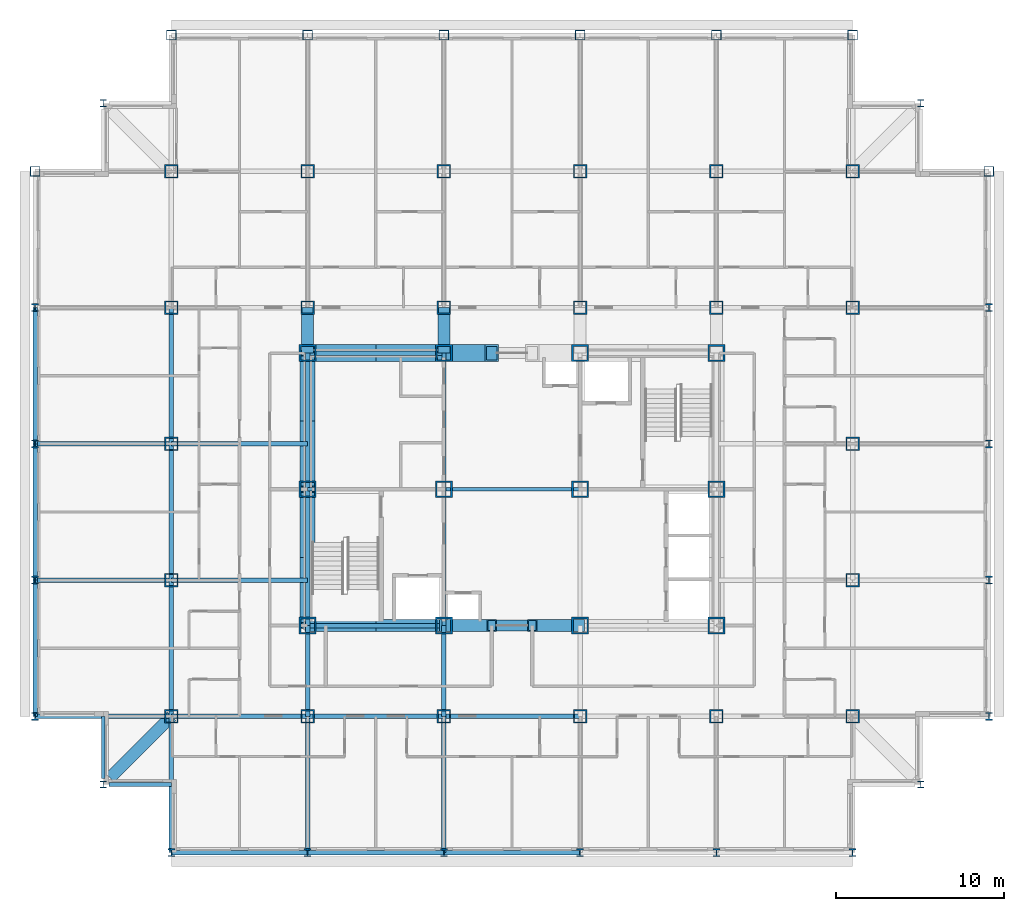
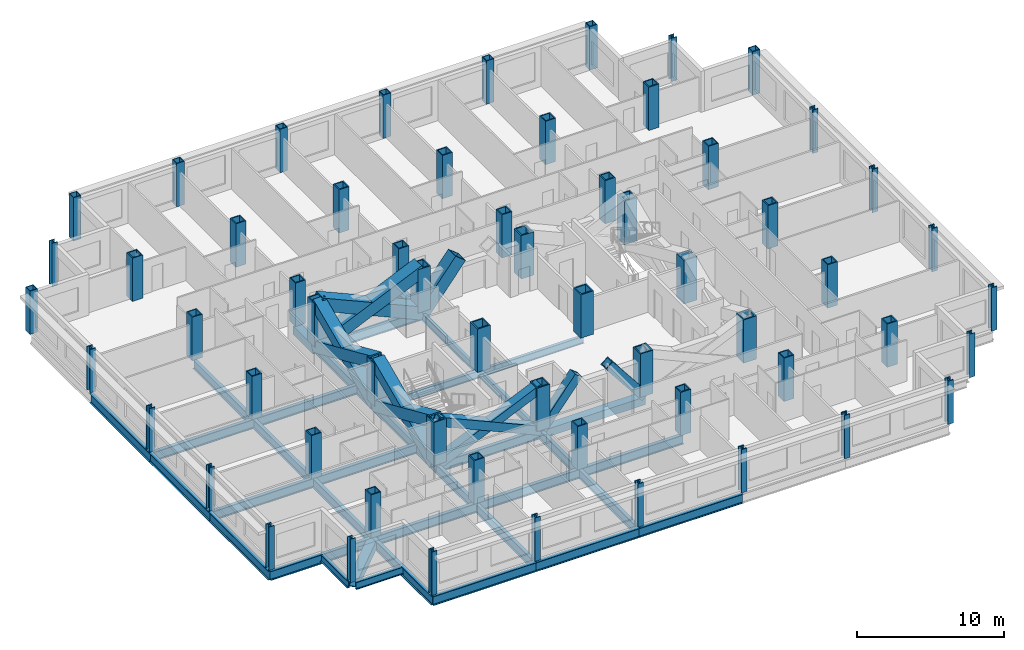
# One storey, part 1 of 12: 60 columns, 36 beams, 11 members.
"""IFC4 building model written with IfcOpenShell, lengths in metres."""

from ifc_helpers import new_model, si_unit, direction, frame, origin, origin_2d, place, context, subcontext, project, spatial, hollow_rectangle, i_section, extrude, material, material_profile, profile_set, type_object, element, save


model = new_model("IFC4")

# Units and contexts
model_context = context("Model", 3, precision=1e-05, world=origin(), true_north=direction((0.0, 1.0)))
body_context = subcontext(model_context, "Body", "Model", "MODEL_VIEW")
ifc_project = project(units=[si_unit("LENGTHUNIT", "METRE"), si_unit("AREAUNIT", "SQUARE_METRE"), si_unit("VOLUMEUNIT", "CUBIC_METRE"), si_unit("PLANEANGLEUNIT", "RADIAN"), si_unit("MASSUNIT", "GRAM", prefix="KILO")], contexts=[model_context])

# Site, building, storey
site_placement = place(None, origin())
site = spatial("IfcSite", under=ifc_project, at=site_placement, CompositionType="ELEMENT")
building_placement = place(site_placement, origin())
building = spatial("IfcBuilding", under=site, at=building_placement, Name="Kopane Lantern Tower", CompositionType="ELEMENT")
storey_placement = place(building_placement, frame((0.0, 0.0, 170.39990234375)))
storey = spatial("IfcBuildingStorey", under=building, at=storey_placement, Name="L43", CompositionType="ELEMENT", Elevation=170.39990234375)

# Columns
ifc_material_1 = material(Name="Steel S355JR", Category="steel")
ifc_material_profile_1 = material_profile(ifc_material_1, hollow_rectangle(XDim=1.0, YDim=1.0, WallThickness=0.10009765625, at=origin_2d()), Name="BOX 1000x1000x100")
ifc_profile_set_1 = profile_set([ifc_material_profile_1], Name="Steel S355JR")
column_type_1 = type_object("IfcColumnType", Name="COLUMN BOX 1000x1000x100", PredefinedType="COLUMN", material=ifc_profile_set_1)
for number, where, z_axis, x_axis, name in (
    (1, (16.199951171875, 24.300048828125, 0.0), (0.0, 0.0, 1.0), (1.0, 0.0, 0.0), "Column 4/E L43"),
    (2, (16.199951171875, 32.39990234375, 0.0), (0.0, 0.0, 1.0), (1.0, 0.0, 0.0), "Column 4/F L43"),
    (3, (16.199951171875, 40.5, 0.0), (0.0, 0.0, 1.0), (1.0, 0.0, 0.0), "Column 4/G L43"),
    (4, (24.300048828125, 24.300048828125, 0.0), (0.0, 0.0, 1.0), (1.0, 0.0, 0.0), "Column 5/E L43"),
    (5, (24.300048828125, 32.39990234375, 0.0), (0.0, 0.0, 1.0), (1.0, 0.0, 0.0), "Column 5/F L43"),
    (6, (24.300048828125, 40.5, 0.0), (0.0, 0.0, 1.0), (1.0, 0.0, 0.0), "Column 5/G L43"),
    (7, (32.39990234375, 24.300048828125, 0.0), (0.0, 0.0, 1.0), (1.0, 0.0, 0.0), "Column 6/E L43"),
    (8, (32.39990234375, 32.39990234375, 0.0), (0.0, 0.0, 1.0), (1.0, 0.0, 0.0), "Column 6/F L43"),
    (9, (32.39990234375, 40.5, 0.0), (0.0, 0.0, 1.0), (1.0, 0.0, 0.0), "Column 6/G L43"),
    (10, (40.5, 24.300048828125, 0.0), (0.0, 0.0, 1.0), (1.0, 0.0, 0.0), "Column 7/E L43"),
    (11, (40.5, 32.39990234375, 0.0), (0.0, 0.0, 1.0), (1.0, 0.0, 0.0), "Column 7/F L43"),
    (12, (40.5, 40.5, 0.0), (0.0, 0.0, 1.0), (1.0, 0.0, 0.0), "Column 7/G L43"),
):
    element("IfcColumn", number, at=place(storey_placement, frame(where, z_axis=z_axis, x_axis=x_axis)), inside=storey, type_object=column_type_1, Name=name, PredefinedType="COLUMN", context=body_context, shape_type="SweptSolid", body=[
        extrude(hollow_rectangle(XDim=1.0, YDim=1.0, WallThickness=0.10009765625, at=origin_2d()), origin(), (0.0, 0.0, 1.0), 3.60009765625),
    ])
ifc_material_2 = material(Name="Steel S355JR", Category="steel")
ifc_material_profile_2 = material_profile(ifc_material_2, hollow_rectangle(XDim=0.60009765625, YDim=0.60009765625, WallThickness=0.050048828125, at=origin_2d()), Name="BOX 600x600x50")
ifc_profile_set_2 = profile_set([ifc_material_profile_2], Name="Steel S355JR")
column_type_2 = type_object("IfcColumnType", Name="COLUMN BOX 600x600x50", PredefinedType="COLUMN", material=ifc_profile_set_2)
for number, where, z_axis, x_axis, name in (
    (13, (0.0, 51.300048828125, 0.0), (0.0, 0.0, 1.0), (1.0, 0.0, 0.0), "Column 2/Q6 L43"),
    (14, (8.10009765625, 59.39990234375, 0.0), (0.0, 0.0, 1.0), (1.0, 0.0, 0.0), "Column 3/Q7 L43"),
    (15, (16.199951171875, 59.39990234375, 0.0), (0.0, 0.0, 1.0), (1.0, 0.0, 0.0), "Column 4/Q7 L43"),
    (16, (24.300048828125, 59.39990234375, 0.0), (0.0, 0.0, 1.0), (1.0, 0.0, 0.0), "Column 5/Q7 L43"),
    (17, (32.39990234375, 59.39990234375, 0.0), (0.0, 0.0, 1.0), (1.0, 0.0, 0.0), "Column 6/Q7 L43"),
    (18, (40.5, 59.39990234375, 0.0), (0.0, 0.0, 1.0), (1.0, 0.0, 0.0), "Column 7/Q7 L43"),
    (19, (48.60009765625, 59.39990234375, 0.0), (0.0, 0.0, 1.0), (1.0, 0.0, 0.0), "Column 8/Q7 L43"),
    (20, (56.699951171875, 51.300048828125, 0.0), (0.0, 0.0, 1.0), (1.0, 0.0, 0.0), "Column 9/Q6 L43"),
):
    element("IfcColumn", number, at=place(storey_placement, frame(where, z_axis=z_axis, x_axis=x_axis)), inside=storey, type_object=column_type_2, Name=name, PredefinedType="COLUMN", context=body_context, shape_type="SweptSolid", body=[
        extrude(hollow_rectangle(XDim=0.60009765625, YDim=0.60009765625, WallThickness=0.050048828125, at=origin_2d()), origin(), (0.0, 0.0, 1.0), 3.60009765625),
    ])
ifc_material_3 = material(Name="Steel S355JR", Category="steel")
ifc_material_profile_3 = material_profile(ifc_material_3, hollow_rectangle(XDim=0.800048828125, YDim=0.800048828125, WallThickness=0.080078125, at=origin_2d()), Name="BOX 800x800x80")
ifc_profile_set_3 = profile_set([ifc_material_profile_3], Name="Steel S355JR")
column_type_3 = type_object("IfcColumnType", Name="COLUMN BOX 800x800x80", PredefinedType="COLUMN", material=ifc_profile_set_3)
for number, where, z_axis, x_axis, name in (
    (21, (8.10009765625, 18.89990234375, 0.0), (0.0, 0.0, 1.0), (1.0, 0.0, 0.0), "Column 3/Q2 L43"),
    (22, (8.10009765625, 27.0, 0.0), (0.0, 0.0, 1.0), (1.0, 0.0, 0.0), "Column 3/Q3 L43"),
    (23, (8.10009765625, 35.10009765625, 0.0), (0.0, 0.0, 1.0), (1.0, 0.0, 0.0), "Column 3/Q4 L43"),
    (24, (8.10009765625, 43.199951171875, 0.0), (0.0, 0.0, 1.0), (1.0, 0.0, 0.0), "Column 3/Q5 L43"),
    (25, (8.10009765625, 51.300048828125, 0.0), (0.0, 0.0, 1.0), (1.0, 0.0, 0.0), "Column 3/Q6 L43"),
    (26, (16.199951171875, 18.89990234375, 0.0), (0.0, 0.0, 1.0), (1.0, 0.0, 0.0), "Column 4/Q2 L43"),
    (27, (16.199951171875, 43.199951171875, 0.0), (0.0, 0.0, 1.0), (1.0, 0.0, 0.0), "Column 4/Q5 L43"),
    (28, (16.199951171875, 51.300048828125, 0.0), (0.0, 0.0, 1.0), (1.0, 0.0, 0.0), "Column 4/Q6 L43"),
    (29, (24.300048828125, 18.89990234375, 0.0), (0.0, 0.0, 1.0), (1.0, 0.0, 0.0), "Column 5/Q2 L43"),
    (30, (24.300048828125, 43.199951171875, 0.0), (0.0, 0.0, 1.0), (1.0, 0.0, 0.0), "Column 5/Q5 L43"),
    (31, (24.300048828125, 51.300048828125, 0.0), (0.0, 0.0, 1.0), (1.0, 0.0, 0.0), "Column 5/Q6 L43"),
    (32, (32.39990234375, 18.89990234375, 0.0), (0.0, 0.0, 1.0), (1.0, 0.0, 0.0), "Column 6/Q2 L43"),
    (33, (32.39990234375, 43.199951171875, 0.0), (0.0, 0.0, 1.0), (1.0, 0.0, 0.0), "Column 6/Q5 L43"),
    (34, (32.39990234375, 51.300048828125, 0.0), (0.0, 0.0, 1.0), (1.0, 0.0, 0.0), "Column 6/Q6 L43"),
    (35, (40.5, 18.89990234375, 0.0), (0.0, 0.0, 1.0), (1.0, 0.0, 0.0), "Column 7/Q2 L43"),
    (36, (40.5, 43.199951171875, 0.0), (0.0, 0.0, 1.0), (1.0, 0.0, 0.0), "Column 7/Q5 L43"),
    (37, (40.5, 51.300048828125, 0.0), (0.0, 0.0, 1.0), (1.0, 0.0, 0.0), "Column 7/Q6 L43"),
    (38, (48.60009765625, 18.89990234375, 0.0), (0.0, 0.0, 1.0), (1.0, 0.0, 0.0), "Column 8/Q2 L43"),
    (39, (48.60009765625, 27.0, 0.0), (0.0, 0.0, 1.0), (1.0, 0.0, 0.0), "Column 8/Q3 L43"),
    (40, (48.60009765625, 35.10009765625, 0.0), (0.0, 0.0, 1.0), (1.0, 0.0, 0.0), "Column 8/Q4 L43"),
    (41, (48.60009765625, 43.199951171875, 0.0), (0.0, 0.0, 1.0), (1.0, 0.0, 0.0), "Column 8/Q5 L43"),
    (42, (48.60009765625, 51.300048828125, 0.0), (0.0, 0.0, 1.0), (1.0, 0.0, 0.0), "Column 8/Q6 L43"),
):
    element("IfcColumn", number, at=place(storey_placement, frame(where, z_axis=z_axis, x_axis=x_axis)), inside=storey, type_object=column_type_3, Name=name, PredefinedType="COLUMN", context=body_context, shape_type="SweptSolid", body=[
        extrude(hollow_rectangle(XDim=0.800048828125, YDim=0.800048828125, WallThickness=0.080078125, at=origin_2d()), origin(), (0.0, 0.0, 1.0), 3.60009765625),
    ])
ifc_material_4 = material(Name="Steel S355JR", Category="steel")
ifc_material_profile_4 = material_profile(ifc_material_4, i_section(OverallWidth=0.406982421875, OverallDepth=0.4189453125, WebThickness=0.030517578125, FlangeThickness=0.04931640625, FilletRadius=0.01513671875, at=origin_2d()), Name="UC 356x406x393")
ifc_profile_set_4 = profile_set([ifc_material_profile_4], Name="Steel S355JR")
column_type_4 = type_object("IfcColumnType", Name="COLUMN UC 356x406x393", PredefinedType="COLUMN", material=ifc_profile_set_4)
for number, where, z_axis, x_axis, name in (
    (43, (4.050048828125, 14.85009765625, 0.0), (0.0, 0.0, 1.0), (1.0, 0.0, 0.0), "Column 4.05/14.85 L43"),
    (44, (4.050048828125, 55.35009765625, 0.0), (0.0, 0.0, 1.0), (1.0, 0.0, 0.0), "Column 4.05/55.35 L43"),
    (45, (52.64990234375, 14.85009765625, 0.0), (0.0, 0.0, 1.0), (1.0, 0.0, 0.0), "Column 52.65/14.85 L43"),
    (46, (52.64990234375, 55.35009765625, 0.0), (0.0, 0.0, 1.0), (1.0, 0.0, 0.0), "Column 52.65/55.35 L43"),
):
    element("IfcColumn", number, at=place(storey_placement, frame(where, z_axis=z_axis, x_axis=x_axis)), inside=storey, type_object=column_type_4, Name=name, PredefinedType="COLUMN", context=body_context, shape_type="SweptSolid", body=[
        extrude(i_section(OverallWidth=0.406982421875, OverallDepth=0.4189453125, WebThickness=0.030517578125, FlangeThickness=0.04931640625, FilletRadius=0.01513671875, at=origin_2d()), origin(), (0.0, 0.0, 1.0), 3.60009765625),
    ])
ifc_material_5 = material(Name="Steel S355JR", Category="steel")
ifc_material_profile_5 = material_profile(ifc_material_5, i_section(OverallWidth=0.424072265625, OverallDepth=0.474609375, WebThickness=0.047607421875, FlangeThickness=0.076904296875, FilletRadius=0.01513671875, at=origin_2d()), Name="UC 356x406x634")
ifc_profile_set_5 = profile_set([ifc_material_profile_5], Name="Steel S355JR")
column_type_5 = type_object("IfcColumnType", Name="COLUMN UC 356x406x634", PredefinedType="COLUMN", material=ifc_profile_set_5)
for number, where, z_axis, x_axis, name in (
    (47, (0.0, 18.89990234375, 0.0), (0.0, 0.0, 1.0), (1.0, 0.0, 0.0), "Column 2/Q2 L43"),
    (48, (0.0, 27.0, 0.0), (0.0, 0.0, 1.0), (1.0, 0.0, 0.0), "Column 2/Q3 L43"),
    (49, (0.0, 35.10009765625, 0.0), (0.0, 0.0, 1.0), (1.0, 0.0, 0.0), "Column 2/Q4 L43"),
    (50, (0.0, 43.199951171875, 0.0), (0.0, 0.0, 1.0), (1.0, 0.0, 0.0), "Column 2/Q5 L43"),
    (51, (8.10009765625, 10.800048828125, 0.0), (0.0, 0.0, 1.0), (1.0, 0.0, 0.0), "Column 3/Q1 L43"),
    (52, (16.199951171875, 10.800048828125, 0.0), (0.0, 0.0, 1.0), (1.0, 0.0, 0.0), "Column 4/Q1 L43"),
    (53, (24.300048828125, 10.800048828125, 0.0), (0.0, 0.0, 1.0), (1.0, 0.0, 0.0), "Column 5/Q1 L43"),
    (54, (32.39990234375, 10.800048828125, 0.0), (0.0, 0.0, 1.0), (1.0, 0.0, 0.0), "Column 6/Q1 L43"),
    (55, (40.5, 10.800048828125, 0.0), (0.0, 0.0, 1.0), (1.0, 0.0, 0.0), "Column 7/Q1 L43"),
    (56, (48.60009765625, 10.800048828125, 0.0), (0.0, 0.0, 1.0), (1.0, 0.0, 0.0), "Column 8/Q1 L43"),
    (57, (56.699951171875, 18.89990234375, 0.0), (0.0, 0.0, 1.0), (1.0, 0.0, 0.0), "Column 9/Q2 L43"),
    (58, (56.699951171875, 27.0, 0.0), (0.0, 0.0, 1.0), (1.0, 0.0, 0.0), "Column 9/Q3 L43"),
    (59, (56.699951171875, 35.10009765625, 0.0), (0.0, 0.0, 1.0), (1.0, 0.0, 0.0), "Column 9/Q4 L43"),
    (60, (56.699951171875, 43.199951171875, 0.0), (0.0, 0.0, 1.0), (1.0, 0.0, 0.0), "Column 9/Q5 L43"),
):
    element("IfcColumn", number, at=place(storey_placement, frame(where, z_axis=z_axis, x_axis=x_axis)), inside=storey, type_object=column_type_5, Name=name, PredefinedType="COLUMN", context=body_context, shape_type="SweptSolid", body=[
        extrude(i_section(OverallWidth=0.424072265625, OverallDepth=0.474609375, WebThickness=0.047607421875, FlangeThickness=0.076904296875, FilletRadius=0.01513671875, at=origin_2d()), origin(), (0.0, 0.0, 1.0), 3.60009765625),
    ])

# Members
ifc_material_6 = material(Name="Steel S355JR", Category="steel")
ifc_material_profile_6 = material_profile(ifc_material_6, hollow_rectangle(XDim=1.0, YDim=1.0, WallThickness=0.10009765625, at=origin_2d()), Name="BOX 1000x1000x100")
ifc_profile_set_6 = profile_set([ifc_material_profile_6], Name="Steel S355JR")
member_type_1 = type_object("IfcMemberType", Name="BRACE BOX 1000x1000x100", PredefinedType="BRACE", material=ifc_profile_set_6)
for number, where, z_axis, x_axis, name in (
    (61, (16.199951171875, 40.5, -0.2099609375), (0.913809277049, 0.0, 0.40614357705), (0.0, 1.0, 0.0), "Core brace L43"),
    (62, (24.300048828125, 40.5, -0.2099609375), (-0.913809277049, 0.0, 0.40614357705), (0.0, -1.0, 0.0), "Core brace L43"),
):
    element("IfcMember", number, at=place(storey_placement, frame(where, z_axis=z_axis, x_axis=x_axis)), inside=storey, type_object=member_type_1, Name=name, PredefinedType="BRACE", context=body_context, shape_type="SweptSolid", body=[
        extrude(hollow_rectangle(XDim=1.0, YDim=1.0, WallThickness=0.10009765625, at=origin_2d()), origin(), (0.0, 0.0, 1.0), 8.864013671875),
    ])
member_placement = place(storey_placement, frame((24.300048828125, 40.5, -0.2099609375), z_axis=(0.620672981644, 0.0, 0.784069544018), x_axis=(0.0, 1.0, 0.0)))
element("IfcMember", 63, at=member_placement, inside=storey, type_object=member_type_1, Name="Core brace L43", PredefinedType="BRACE", context=body_context, shape_type="SweptSolid", body=[
    extrude(hollow_rectangle(XDim=1.0, YDim=1.0, WallThickness=0.10009765625, at=origin_2d()), origin(), (0.0, 0.0, 1.0), 4.591552734375),
])
ifc_material_7 = material(Name="Steel S355JR", Category="steel")
ifc_material_profile_7 = material_profile(ifc_material_7, hollow_rectangle(XDim=0.699951171875, YDim=0.699951171875, WallThickness=0.06005859375, at=origin_2d()), Name="BOX 700x700x60")
ifc_profile_set_7 = profile_set([ifc_material_profile_7], Name="Steel S355JR")
member_type_2 = type_object("IfcMemberType", Name="BRACE BOX 700x700x60", PredefinedType="BRACE", material=ifc_profile_set_7)
for number, where, z_axis, x_axis, name in (
    (64, (16.199951171875, 24.300048828125, -0.2099609375), (0.913809277049, 0.0, 0.40614357705), (0.0, 1.0, 0.0), "Core brace L43"),
    (65, (24.300048828125, 24.300048828125, -0.2099609375), (-0.913809277049, 0.0, 0.40614357705), (0.0, -1.0, 0.0), "Core brace L43"),
):
    element("IfcMember", number, at=place(storey_placement, frame(where, z_axis=z_axis, x_axis=x_axis)), inside=storey, type_object=member_type_2, Name=name, PredefinedType="BRACE", context=body_context, shape_type="SweptSolid", body=[
        extrude(hollow_rectangle(XDim=0.699951171875, YDim=0.699951171875, WallThickness=0.06005859375, at=origin_2d()), origin(), (0.0, 0.0, 1.0), 8.864013671875),
    ])
for number, where, z_axis, x_axis, name in (
    (66, (24.300048828125, 24.300048828125, -0.2099609375), (0.620672981644, 0.0, 0.784069544018), (0.0, 1.0, 0.0), "Core brace L43"),
    (67, (32.39990234375, 24.300048828125, -0.2099609375), (-0.620672981644, 0.0, 0.784069544018), (0.0, -1.0, 0.0), "Core brace L43"),
):
    element("IfcMember", number, at=place(storey_placement, frame(where, z_axis=z_axis, x_axis=x_axis)), inside=storey, type_object=member_type_2, Name=name, PredefinedType="BRACE", context=body_context, shape_type="SweptSolid", body=[
        extrude(hollow_rectangle(XDim=0.699951171875, YDim=0.699951171875, WallThickness=0.06005859375, at=origin_2d()), origin(), (0.0, 0.0, 1.0), 4.591552734375),
    ])
ifc_material_8 = material(Name="Steel S355JR", Category="steel")
ifc_material_profile_8 = material_profile(ifc_material_8, hollow_rectangle(XDim=0.89990234375, YDim=0.89990234375, WallThickness=0.090087890625, at=origin_2d()), Name="BOX 900x900x90")
ifc_profile_set_8 = profile_set([ifc_material_profile_8], Name="Steel S355JR")
member_type_3 = type_object("IfcMemberType", Name="BRACE BOX 900x900x90", PredefinedType="BRACE", material=ifc_profile_set_8)
for number, where, z_axis, x_axis, name in (
    (68, (16.199951171875, 24.300048828125, -0.2099609375), (0.0, 0.91380473365, 0.406153799391), (-1.0, 0.0, 0.0), "Core brace L43"),
    (69, (16.199951171875, 32.39990234375, -0.2099609375), (0.0, -0.91380473365, 0.406153799391), (1.0, 0.0, 0.0), "Core brace L43"),
):
    element("IfcMember", number, at=place(storey_placement, frame(where, z_axis=z_axis, x_axis=x_axis)), inside=storey, type_object=member_type_3, Name=name, PredefinedType="BRACE", context=body_context, shape_type="SweptSolid", body=[
        extrude(hollow_rectangle(XDim=0.89990234375, YDim=0.89990234375, WallThickness=0.090087890625, at=origin_2d()), origin(), (0.0, 0.0, 1.0), 8.86376953125),
    ])
for number, where, z_axis, x_axis, name in (
    (70, (16.199951171875, 32.39990234375, -0.2099609375), (0.0, 0.913809277049, 0.40614357705), (-1.0, 0.0, 0.0), "Core brace L43"),
    (71, (16.199951171875, 40.5, -0.2099609375), (0.0, -0.913809277049, 0.40614357705), (1.0, 0.0, 0.0), "Core brace L43"),
):
    element("IfcMember", number, at=place(storey_placement, frame(where, z_axis=z_axis, x_axis=x_axis)), inside=storey, type_object=member_type_3, Name=name, PredefinedType="BRACE", context=body_context, shape_type="SweptSolid", body=[
        extrude(hollow_rectangle(XDim=0.89990234375, YDim=0.89990234375, WallThickness=0.090087890625, at=origin_2d()), origin(), (0.0, 0.0, 1.0), 8.864013671875),
    ])

# Beams
ifc_material_9 = material(Name="Steel S355JR", Category="steel")
ifc_material_profile_9 = material_profile(ifc_material_9, i_section(OverallWidth=0.22900390625, OverallDepth=0.6123046875, WebThickness=0.011962890625, FlangeThickness=0.01953125, FilletRadius=0.0126953125, at=origin_2d()), Name="UB 610x229x125")
ifc_profile_set_9 = profile_set([ifc_material_profile_9], Name="Steel S355JR")
beam_type_1 = type_object("IfcBeamType", Name="CORE BEAM UB 610x229x125", PredefinedType="BEAM", material=ifc_profile_set_9)
beam_1_placement = place(storey_placement, frame((16.199951171875, 32.39990234375, -0.51611328125), z_axis=(1.0, 0.0, 0.0), x_axis=(0.0, 1.0, 0.0)))
element("IfcBeam", 72, at=beam_1_placement, inside=storey, type_object=beam_type_1, Name="Core Beam L43", PredefinedType="BEAM", context=body_context, shape_type="SweptSolid", body=[
    extrude(i_section(OverallWidth=0.22900390625, OverallDepth=0.6123046875, WebThickness=0.011962890625, FlangeThickness=0.01953125, FilletRadius=0.0126953125, at=origin_2d()), origin(), (0.0, 0.0, 1.0), 8.10009765625),
])
beam_2_placement = place(storey_placement, frame((24.300048828125, 24.300048828125, -0.51611328125), z_axis=(0.0, 1.0, 0.0), x_axis=(-1.0, 0.0, 0.0)))
element("IfcBeam", 73, at=beam_2_placement, inside=storey, type_object=beam_type_1, Name="Core Beam L43", PredefinedType="BEAM", context=body_context, shape_type="SweptSolid", body=[
    extrude(i_section(OverallWidth=0.22900390625, OverallDepth=0.6123046875, WebThickness=0.011962890625, FlangeThickness=0.01953125, FilletRadius=0.0126953125, at=origin_2d()), origin(), (0.0, 0.0, 1.0), 8.099853515625),
])
beam_3_placement = place(storey_placement, frame((24.300048828125, 32.39990234375, -0.51611328125), z_axis=(0.0, 1.0, 0.0), x_axis=(-1.0, 0.0, 0.0)))
element("IfcBeam", 74, at=beam_3_placement, inside=storey, type_object=beam_type_1, Name="Core Beam L43", PredefinedType="BEAM", context=body_context, shape_type="SweptSolid", body=[
    extrude(i_section(OverallWidth=0.22900390625, OverallDepth=0.6123046875, WebThickness=0.011962890625, FlangeThickness=0.01953125, FilletRadius=0.0126953125, at=origin_2d()), origin(), (0.0, 0.0, 1.0), 8.10009765625),
])
beam_4_placement = place(storey_placement, frame((24.300048828125, 32.39990234375, -0.51611328125), z_axis=(1.0, 0.0, 0.0), x_axis=(0.0, 1.0, 0.0)))
element("IfcBeam", 75, at=beam_4_placement, inside=storey, type_object=beam_type_1, Name="Core Beam L43", PredefinedType="BEAM", context=body_context, shape_type="SweptSolid", body=[
    extrude(i_section(OverallWidth=0.22900390625, OverallDepth=0.6123046875, WebThickness=0.011962890625, FlangeThickness=0.01953125, FilletRadius=0.0126953125, at=origin_2d()), origin(), (0.0, 0.0, 1.0), 8.099853515625),
])
ifc_material_10 = material(Name="Steel S355JR", Category="steel")
ifc_material_profile_10 = material_profile(ifc_material_10, hollow_rectangle(XDim=0.699951171875, YDim=0.699951171875, WallThickness=0.06005859375, at=origin_2d()), Name="BOX 700x700x60")
ifc_profile_set_10 = profile_set([ifc_material_profile_10], Name="Steel S355JR")
beam_type_2 = type_object("IfcBeamType", Name="CORNER TIE BEAM BOX 700x700x60", PredefinedType="BEAM", material=ifc_profile_set_10)
beam_5_placement = place(storey_placement, frame((4.447509765625, 15.24755859375, -0.559814453125), z_axis=(0.70713041325, 0.707083148333, 0.0), x_axis=(-0.707083148333, 0.70713041325, 0.0)))
element("IfcBeam", 76, at=beam_5_placement, inside=storey, type_object=beam_type_2, Name="Corner Tie Beam L43", PredefinedType="BEAM", context=body_context, shape_type="SweptSolid", body=[
    extrude(hollow_rectangle(XDim=0.699951171875, YDim=0.699951171875, WallThickness=0.06005859375, at=origin_2d()), origin(), (0.0, 0.0, 1.0), 5.165283203125),
])
ifc_material_11 = material(Name="Steel S355JR", Category="steel")
ifc_material_profile_11 = material_profile(ifc_material_11, i_section(OverallWidth=0.22900390625, OverallDepth=0.6123046875, WebThickness=0.011962890625, FlangeThickness=0.01953125, FilletRadius=0.0126953125, at=origin_2d()), Name="UB 610x229x125")
ifc_profile_set_11 = profile_set([ifc_material_profile_11], Name="Steel S355JR")
beam_type_3 = type_object("IfcBeamType", Name="EDGE BEAM UB 610x229x125", PredefinedType="BEAM", material=ifc_profile_set_11)
beam_6_placement = place(storey_placement, frame((4.050048828125, 15.199951171875, -0.51611328125), z_axis=(0.0, 1.0, 0.0), x_axis=(-1.0, 0.0, 0.0)))
element("IfcBeam", 77, at=beam_6_placement, inside=storey, type_object=beam_type_3, Name="Edge Beam L43", PredefinedType="BEAM", context=body_context, shape_type="SweptSolid", body=[
    extrude(i_section(OverallWidth=0.22900390625, OverallDepth=0.6123046875, WebThickness=0.011962890625, FlangeThickness=0.01953125, FilletRadius=0.0126953125, at=origin_2d()), origin(), (0.0, 0.0, 1.0), 3.699951171875),
])
beam_7_placement = place(storey_placement, frame((4.39990234375, 14.85009765625, -0.51611328125), z_axis=(1.0, 0.0, 0.0), x_axis=(0.0, 1.0, 0.0)))
element("IfcBeam", 78, at=beam_7_placement, inside=storey, type_object=beam_type_3, Name="Edge Beam L43", PredefinedType="BEAM", context=body_context, shape_type="SweptSolid", body=[
    extrude(i_section(OverallWidth=0.22900390625, OverallDepth=0.6123046875, WebThickness=0.011962890625, FlangeThickness=0.01953125, FilletRadius=0.0126953125, at=origin_2d()), origin(), (0.0, 0.0, 1.0), 3.7001953125),
])
ifc_material_12 = material(Name="Steel S355JR", Category="steel")
ifc_material_profile_12 = material_profile(ifc_material_12, hollow_rectangle(XDim=0.699951171875, YDim=0.699951171875, WallThickness=0.06005859375, at=origin_2d()), Name="BOX 700x700x60")
ifc_profile_set_12 = profile_set([ifc_material_profile_12], Name="Steel S355JR")
beam_type_4 = type_object("IfcBeamType", Name="GIRDER BOX 700x700x60", PredefinedType="BEAM", material=ifc_profile_set_12)
for number, where, z_axis, x_axis, name in (
    (79, (16.199951171875, 40.5, -0.559814453125), (0.0, 1.0, 0.0), (-1.0, 0.0, 0.0), "Girder L43"),
    (80, (24.300048828125, 40.5, -0.559814453125), (0.0, 1.0, 0.0), (-1.0, 0.0, 0.0), "Girder L43"),
):
    element("IfcBeam", number, at=place(storey_placement, frame(where, z_axis=z_axis, x_axis=x_axis)), inside=storey, type_object=beam_type_4, Name=name, PredefinedType="BEAM", context=body_context, shape_type="SweptSolid", body=[
        extrude(hollow_rectangle(XDim=0.699951171875, YDim=0.699951171875, WallThickness=0.06005859375, at=origin_2d()), origin(), (0.0, 0.0, 1.0), 2.699951171875),
    ])
ifc_material_13 = material(Name="Steel S355JR", Category="steel")
ifc_material_profile_13 = material_profile(ifc_material_13, i_section(OverallWidth=0.26806640625, OverallDepth=0.769775390625, WebThickness=0.015625, FlangeThickness=0.025390625, FilletRadius=0.0166015625, at=origin_2d()), Name="UB 762x267x197")
ifc_profile_set_13 = profile_set([ifc_material_profile_13], Name="Steel S355JR")
beam_type_5 = type_object("IfcBeamType", Name="GIRDER UB 762x267x197", PredefinedType="BEAM", material=ifc_profile_set_13)
for number, where, z_axis, x_axis, name in (
    (81, (0.0, 18.89990234375, -0.5947265625), (0.0, 1.0, 0.0), (-1.0, 0.0, 0.0), "Girder L43"),
    (82, (0.0, 18.89990234375, -0.5947265625), (1.0, 0.0, 0.0), (0.0, 1.0, 0.0), "Girder L43"),
    (83, (0.0, 27.0, -0.5947265625), (0.0, 1.0, 0.0), (-1.0, 0.0, 0.0), "Girder L43"),
    (84, (0.0, 27.0, -0.5947265625), (1.0, 0.0, 0.0), (0.0, 1.0, 0.0), "Girder L43"),
):
    element("IfcBeam", number, at=place(storey_placement, frame(where, z_axis=z_axis, x_axis=x_axis)), inside=storey, type_object=beam_type_5, Name=name, PredefinedType="BEAM", context=body_context, shape_type="SweptSolid", body=[
        extrude(i_section(OverallWidth=0.26806640625, OverallDepth=0.769775390625, WebThickness=0.015625, FlangeThickness=0.025390625, FilletRadius=0.0166015625, at=origin_2d()), origin(), (0.0, 0.0, 1.0), 8.10009765625),
    ])
beam_8_placement = place(storey_placement, frame((0.0, 35.10009765625, -0.5947265625), z_axis=(0.0, 1.0, 0.0), x_axis=(-1.0, 0.0, 0.0)))
element("IfcBeam", 85, at=beam_8_placement, inside=storey, type_object=beam_type_5, Name="Girder L43", PredefinedType="BEAM", context=body_context, shape_type="SweptSolid", body=[
    extrude(i_section(OverallWidth=0.26806640625, OverallDepth=0.769775390625, WebThickness=0.015625, FlangeThickness=0.025390625, FilletRadius=0.0166015625, at=origin_2d()), origin(), (0.0, 0.0, 1.0), 8.099853515625),
])
beam_9_placement = place(storey_placement, frame((0.0, 35.10009765625, -0.5947265625), z_axis=(1.0, 0.0, 0.0), x_axis=(0.0, 1.0, 0.0)))
element("IfcBeam", 86, at=beam_9_placement, inside=storey, type_object=beam_type_5, Name="Girder L43", PredefinedType="BEAM", context=body_context, shape_type="SweptSolid", body=[
    extrude(i_section(OverallWidth=0.26806640625, OverallDepth=0.769775390625, WebThickness=0.015625, FlangeThickness=0.025390625, FilletRadius=0.0166015625, at=origin_2d()), origin(), (0.0, 0.0, 1.0), 8.10009765625),
])
for number, where, z_axis, x_axis, name in (
    (87, (8.10009765625, 10.800048828125, -0.5947265625), (0.0, 1.0, 0.0), (-1.0, 0.0, 0.0), "Girder L43"),
    (88, (8.10009765625, 10.800048828125, -0.5947265625), (1.0, 0.0, 0.0), (0.0, 1.0, 0.0), "Girder L43"),
):
    element("IfcBeam", number, at=place(storey_placement, frame(where, z_axis=z_axis, x_axis=x_axis)), inside=storey, type_object=beam_type_5, Name=name, PredefinedType="BEAM", context=body_context, shape_type="SweptSolid", body=[
        extrude(i_section(OverallWidth=0.26806640625, OverallDepth=0.769775390625, WebThickness=0.015625, FlangeThickness=0.025390625, FilletRadius=0.0166015625, at=origin_2d()), origin(), (0.0, 0.0, 1.0), 8.099853515625),
    ])
beam_10_placement = place(storey_placement, frame((8.10009765625, 18.89990234375, -0.5947265625), z_axis=(0.0, 1.0, 0.0), x_axis=(-1.0, 0.0, 0.0)))
element("IfcBeam", 89, at=beam_10_placement, inside=storey, type_object=beam_type_5, Name="Girder L43", PredefinedType="BEAM", context=body_context, shape_type="SweptSolid", body=[
    extrude(i_section(OverallWidth=0.26806640625, OverallDepth=0.769775390625, WebThickness=0.015625, FlangeThickness=0.025390625, FilletRadius=0.0166015625, at=origin_2d()), origin(), (0.0, 0.0, 1.0), 8.10009765625),
])
beam_11_placement = place(storey_placement, frame((8.10009765625, 18.89990234375, -0.5947265625), z_axis=(1.0, 0.0, 0.0), x_axis=(0.0, 1.0, 0.0)))
element("IfcBeam", 90, at=beam_11_placement, inside=storey, type_object=beam_type_5, Name="Girder L43", PredefinedType="BEAM", context=body_context, shape_type="SweptSolid", body=[
    extrude(i_section(OverallWidth=0.26806640625, OverallDepth=0.769775390625, WebThickness=0.015625, FlangeThickness=0.025390625, FilletRadius=0.0166015625, at=origin_2d()), origin(), (0.0, 0.0, 1.0), 8.099853515625),
])
beam_12_placement = place(storey_placement, frame((8.10009765625, 27.0, -0.5947265625), z_axis=(0.0, 1.0, 0.0), x_axis=(-1.0, 0.0, 0.0)))
element("IfcBeam", 91, at=beam_12_placement, inside=storey, type_object=beam_type_5, Name="Girder L43", PredefinedType="BEAM", context=body_context, shape_type="SweptSolid", body=[
    extrude(i_section(OverallWidth=0.26806640625, OverallDepth=0.769775390625, WebThickness=0.015625, FlangeThickness=0.025390625, FilletRadius=0.0166015625, at=origin_2d()), origin(), (0.0, 0.0, 1.0), 8.10009765625),
])
for number, where, z_axis, x_axis, name in (
    (92, (8.10009765625, 27.0, -0.5947265625), (1.0, 0.0, 0.0), (0.0, 1.0, 0.0), "Girder L43"),
    (93, (8.10009765625, 35.10009765625, -0.5947265625), (0.0, 1.0, 0.0), (-1.0, 0.0, 0.0), "Girder L43"),
    (94, (8.10009765625, 35.10009765625, -0.5947265625), (1.0, 0.0, 0.0), (0.0, 1.0, 0.0), "Girder L43"),
    (95, (16.199951171875, 10.800048828125, -0.5947265625), (0.0, 1.0, 0.0), (-1.0, 0.0, 0.0), "Girder L43"),
):
    element("IfcBeam", number, at=place(storey_placement, frame(where, z_axis=z_axis, x_axis=x_axis)), inside=storey, type_object=beam_type_5, Name=name, PredefinedType="BEAM", context=body_context, shape_type="SweptSolid", body=[
        extrude(i_section(OverallWidth=0.26806640625, OverallDepth=0.769775390625, WebThickness=0.015625, FlangeThickness=0.025390625, FilletRadius=0.0166015625, at=origin_2d()), origin(), (0.0, 0.0, 1.0), 8.099853515625),
    ])
beam_13_placement = place(storey_placement, frame((16.199951171875, 10.800048828125, -0.5947265625), z_axis=(1.0, 0.0, 0.0), x_axis=(0.0, 1.0, 0.0)))
element("IfcBeam", 96, at=beam_13_placement, inside=storey, type_object=beam_type_5, Name="Girder L43", PredefinedType="BEAM", context=body_context, shape_type="SweptSolid", body=[
    extrude(i_section(OverallWidth=0.26806640625, OverallDepth=0.769775390625, WebThickness=0.015625, FlangeThickness=0.025390625, FilletRadius=0.0166015625, at=origin_2d()), origin(), (0.0, 0.0, 1.0), 8.10009765625),
])
beam_14_placement = place(storey_placement, frame((16.199951171875, 18.89990234375, -0.5947265625), z_axis=(0.0, 1.0, 0.0), x_axis=(-1.0, 0.0, 0.0)))
element("IfcBeam", 97, at=beam_14_placement, inside=storey, type_object=beam_type_5, Name="Girder L43", PredefinedType="BEAM", context=body_context, shape_type="SweptSolid", body=[
    extrude(i_section(OverallWidth=0.26806640625, OverallDepth=0.769775390625, WebThickness=0.015625, FlangeThickness=0.025390625, FilletRadius=0.0166015625, at=origin_2d()), origin(), (0.0, 0.0, 1.0), 5.400146484375),
])
beam_15_placement = place(storey_placement, frame((16.199951171875, 18.89990234375, -0.5947265625), z_axis=(1.0, 0.0, 0.0), x_axis=(0.0, 1.0, 0.0)))
element("IfcBeam", 98, at=beam_15_placement, inside=storey, type_object=beam_type_5, Name="Girder L43", PredefinedType="BEAM", context=body_context, shape_type="SweptSolid", body=[
    extrude(i_section(OverallWidth=0.26806640625, OverallDepth=0.769775390625, WebThickness=0.015625, FlangeThickness=0.025390625, FilletRadius=0.0166015625, at=origin_2d()), origin(), (0.0, 0.0, 1.0), 8.10009765625),
])
beam_16_placement = place(storey_placement, frame((16.199951171875, 24.300048828125, -0.5947265625), z_axis=(0.0, 1.0, 0.0), x_axis=(-1.0, 0.0, 0.0)))
element("IfcBeam", 99, at=beam_16_placement, inside=storey, type_object=beam_type_5, Name="Girder L43", PredefinedType="BEAM", context=body_context, shape_type="SweptSolid", body=[
    extrude(i_section(OverallWidth=0.26806640625, OverallDepth=0.769775390625, WebThickness=0.015625, FlangeThickness=0.025390625, FilletRadius=0.0166015625, at=origin_2d()), origin(), (0.0, 0.0, 1.0), 8.099853515625),
])
for number, where, z_axis, x_axis, name in (
    (100, (16.199951171875, 24.300048828125, -0.5947265625), (1.0, 0.0, 0.0), (0.0, 1.0, 0.0), "Girder L43"),
    (101, (16.199951171875, 32.39990234375, -0.5947265625), (0.0, 1.0, 0.0), (-1.0, 0.0, 0.0), "Girder L43"),
    (102, (16.199951171875, 40.5, -0.5947265625), (1.0, 0.0, 0.0), (0.0, 1.0, 0.0), "Girder L43"),
):
    element("IfcBeam", number, at=place(storey_placement, frame(where, z_axis=z_axis, x_axis=x_axis)), inside=storey, type_object=beam_type_5, Name=name, PredefinedType="BEAM", context=body_context, shape_type="SweptSolid", body=[
        extrude(i_section(OverallWidth=0.26806640625, OverallDepth=0.769775390625, WebThickness=0.015625, FlangeThickness=0.025390625, FilletRadius=0.0166015625, at=origin_2d()), origin(), (0.0, 0.0, 1.0), 8.10009765625),
    ])
for number, where, z_axis, x_axis, name in (
    (103, (24.300048828125, 10.800048828125, -0.5947265625), (0.0, 1.0, 0.0), (-1.0, 0.0, 0.0), "Girder L43"),
    (104, (24.300048828125, 10.800048828125, -0.5947265625), (1.0, 0.0, 0.0), (0.0, 1.0, 0.0), "Girder L43"),
):
    element("IfcBeam", number, at=place(storey_placement, frame(where, z_axis=z_axis, x_axis=x_axis)), inside=storey, type_object=beam_type_5, Name=name, PredefinedType="BEAM", context=body_context, shape_type="SweptSolid", body=[
        extrude(i_section(OverallWidth=0.26806640625, OverallDepth=0.769775390625, WebThickness=0.015625, FlangeThickness=0.025390625, FilletRadius=0.0166015625, at=origin_2d()), origin(), (0.0, 0.0, 1.0), 8.099853515625),
    ])
beam_17_placement = place(storey_placement, frame((24.300048828125, 18.89990234375, -0.5947265625), z_axis=(0.0, 1.0, 0.0), x_axis=(-1.0, 0.0, 0.0)))
element("IfcBeam", 105, at=beam_17_placement, inside=storey, type_object=beam_type_5, Name="Girder L43", PredefinedType="BEAM", context=body_context, shape_type="SweptSolid", body=[
    extrude(i_section(OverallWidth=0.26806640625, OverallDepth=0.769775390625, WebThickness=0.015625, FlangeThickness=0.025390625, FilletRadius=0.0166015625, at=origin_2d()), origin(), (0.0, 0.0, 1.0), 5.400146484375),
])
beam_18_placement = place(storey_placement, frame((24.300048828125, 18.89990234375, -0.5947265625), z_axis=(1.0, 0.0, 0.0), x_axis=(0.0, 1.0, 0.0)))
element("IfcBeam", 106, at=beam_18_placement, inside=storey, type_object=beam_type_5, Name="Girder L43", PredefinedType="BEAM", context=body_context, shape_type="SweptSolid", body=[
    extrude(i_section(OverallWidth=0.26806640625, OverallDepth=0.769775390625, WebThickness=0.015625, FlangeThickness=0.025390625, FilletRadius=0.0166015625, at=origin_2d()), origin(), (0.0, 0.0, 1.0), 8.099853515625),
])
ifc_material_14 = material(Name="Steel S355JR", Category="steel")
ifc_material_profile_14 = material_profile(ifc_material_14, hollow_rectangle(XDim=0.64990234375, YDim=0.64990234375, WallThickness=0.070068359375, at=origin_2d()), Name="BOX 650x650x70")
ifc_profile_set_14 = profile_set([ifc_material_profile_14], Name="Steel S355JR")
beam_type_6 = type_object("IfcBeamType", Name="LINK BEAM BOX 650x650x70", PredefinedType="BEAM", material=ifc_profile_set_14)
beam_19_placement = place(storey_placement, frame((24.300048828125, 24.300048828125, -0.534912109375), z_axis=(1.0, 0.0, 0.0), x_axis=(0.0, 1.0, 0.0)))
element("IfcBeam", 107, at=beam_19_placement, inside=storey, type_object=beam_type_6, Name="Link Beam L43", PredefinedType="BEAM", context=body_context, shape_type="SweptSolid", body=[
    extrude(hollow_rectangle(XDim=0.64990234375, YDim=0.64990234375, WallThickness=0.070068359375, at=origin_2d()), origin(), (0.0, 0.0, 1.0), 8.099853515625),
])

save(model, "model.ifc")
